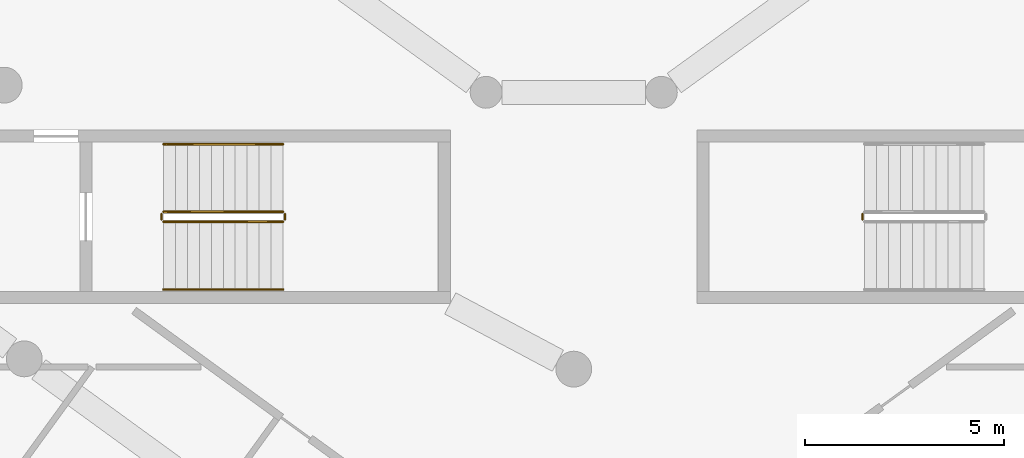
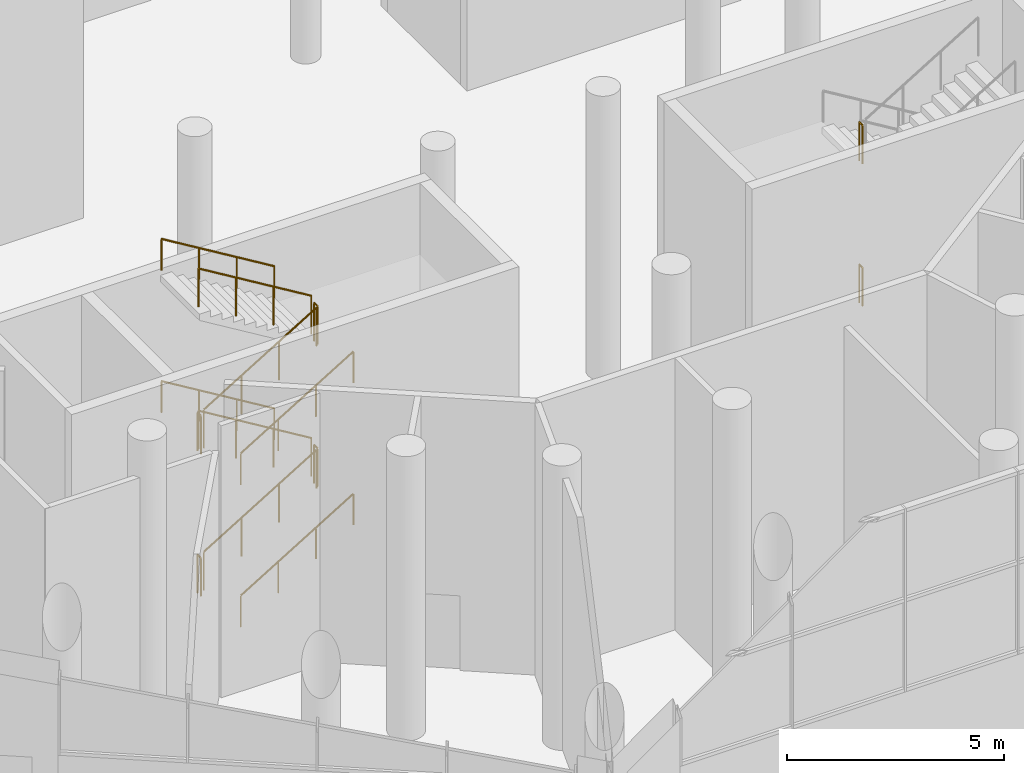
# One storey, part 18 of 23: 14 railings.
"""IFC4 building model written with IfcOpenShell, lengths in metres."""

from ifc_helpers import new_model, si_unit, direction, frame, origin, origin_2d, place, context, subcontext, project, spatial, circle, extrude, material, type_object, element, save


model = new_model("IFC4")

# Units and contexts
model_context = context("Model", 3, precision=1e-05, world=origin(), true_north=direction((0.0, 1.0)))
body_context = subcontext(model_context, "Body", "Model", "MODEL_VIEW")
ifc_project = project(units=[si_unit("LENGTHUNIT", "METRE"), si_unit("AREAUNIT", "SQUARE_METRE"), si_unit("VOLUMEUNIT", "CUBIC_METRE"), si_unit("PLANEANGLEUNIT", "RADIAN"), si_unit("MASSUNIT", "GRAM", prefix="KILO")], contexts=[model_context])

# Site, building, storey
site_placement = place(None, origin())
site = spatial("IfcSite", under=ifc_project, at=site_placement, CompositionType="ELEMENT")
building_placement = place(site_placement, origin())
building = spatial("IfcBuilding", under=site, at=building_placement, Name="White Candle Pilgrim Tower", CompositionType="ELEMENT")
storey_placement = place(building_placement, frame((0.0, 0.0, 15.0)))
storey = spatial("IfcBuildingStorey", under=building, at=storey_placement, Name="L02", CompositionType="ELEMENT", Elevation=15.0)

# Railings
ifc_material = material(Name="Stainless steel", Category="steel")
railing_type_1 = type_object("IfcRailingType", Name="Stair guard stainless steel 1100 mm", PredefinedType="GUARDRAIL", material=ifc_material)
railing_1_placement = place(storey_placement, frame((59.699951171875, 43.35009765625, 0.181884765625)))
element("IfcRailing", 1, at=railing_1_placement, inside=storey, type_object=railing_type_1, Name="L02 ST6 stair guard 1", PredefinedType="GUARDRAIL", context=body_context, shape_type="SweptSolid", body=[
    extrude(circle(Radius=0.02392578125, at=origin_2d()), frame((0.0, 0.0, 1.076171875), z_axis=(0.855206244763, 0.0, 0.518287834045), x_axis=(0.0, 1.0, 0.0)), (0.0, 0.0, 1.0), 3.5078125),
    extrude(circle(Radius=0.02099609375, at=origin_2d()), origin(), (0.0, 0.0, 1.0), 1.052001953125),
    extrude(circle(Radius=0.02099609375, at=origin_2d()), frame((1.0, 0.0, 0.60595703125)), (0.0, 0.0, 1.0), 1.052001953125),
    extrude(circle(Radius=0.02099609375, at=origin_2d()), frame((2.0, 0.0, 1.212158203125)), (0.0, 0.0, 1.0), 1.052001953125),
    extrude(circle(Radius=0.02099609375, at=origin_2d()), frame((3.0, 0.0, 1.818115234375)), (0.0, 0.0, 1.0), 1.052001953125),
])
railing_2_placement = place(storey_placement, frame((62.75, 43.39990234375, 2.0)))
element("IfcRailing", 2, at=railing_2_placement, inside=storey, type_object=railing_type_1, Name="L02 ST6 stair guard 2", PredefinedType="GUARDRAIL", context=body_context, shape_type="SweptSolid", body=[
    extrude(circle(Radius=0.02392578125, at=origin_2d()), frame((0.0, 0.0, 1.076171875), z_axis=(0.0, 1.0, 0.0), x_axis=(-1.0, 0.0, 0.0)), (0.0, 0.0, 1.0), 0.150146484375),
    extrude(circle(Radius=0.02099609375, at=origin_2d()), origin(), (0.0, 0.0, 1.0), 1.052001953125),
    extrude(circle(Radius=0.02099609375, at=origin_2d()), frame((0.0, 0.150146484375, 0.0)), (0.0, 0.0, 1.0), 1.052001953125),
])
railing_3_placement = place(storey_placement, frame((62.699951171875, 43.60009765625, 2.181884765625)))
element("IfcRailing", 3, at=railing_3_placement, inside=storey, type_object=railing_type_1, Name="L02 ST6 stair guard 3", PredefinedType="GUARDRAIL", context=body_context, shape_type="SweptSolid", body=[
    extrude(circle(Radius=0.02392578125, at=origin_2d()), frame((0.0, 0.0, 1.076171875), z_axis=(-0.855206244763, 0.0, 0.518287834045), x_axis=(0.0, -1.0, 0.0)), (0.0, 0.0, 1.0), 3.5078125),
    extrude(circle(Radius=0.02099609375, at=origin_2d()), origin(), (0.0, 0.0, 1.0), 1.052001953125),
    extrude(circle(Radius=0.02099609375, at=origin_2d()), frame((-1.0, 0.0, 0.60595703125)), (0.0, 0.0, 1.0), 1.052001953125),
    extrude(circle(Radius=0.02099609375, at=origin_2d()), frame((-2.0, 0.0, 1.212158203125)), (0.0, 0.0, 1.0), 1.052001953125),
    extrude(circle(Radius=0.02099609375, at=origin_2d()), frame((-3.0, 0.0, 1.818115234375)), (0.0, 0.0, 1.0), 1.052001953125),
])
railing_4_placement = place(storey_placement, frame((59.64990234375, 43.39990234375, 4.0)))
element("IfcRailing", 4, at=railing_4_placement, inside=storey, type_object=railing_type_1, Name="L02 ST6 stair guard 4", PredefinedType="GUARDRAIL", context=body_context, shape_type="SweptSolid", body=[
    extrude(circle(Radius=0.02392578125, at=origin_2d()), frame((0.0, 0.0, 1.076171875), z_axis=(0.0, 1.0, 0.0), x_axis=(-1.0, 0.0, 0.0)), (0.0, 0.0, 1.0), 0.150146484375),
    extrude(circle(Radius=0.02099609375, at=origin_2d()), origin(), (0.0, 0.0, 1.0), 1.052001953125),
    extrude(circle(Radius=0.02099609375, at=origin_2d()), frame((0.0, 0.150146484375, 0.0)), (0.0, 0.0, 1.0), 1.052001953125),
])
railing_5_placement = place(storey_placement, frame((59.699951171875, 43.35009765625, 4.181884765625)))
element("IfcRailing", 5, at=railing_5_placement, inside=storey, type_object=railing_type_1, Name="L02 ST6 stair guard 5", PredefinedType="GUARDRAIL", context=body_context, shape_type="SweptSolid", body=[
    extrude(circle(Radius=0.02392578125, at=origin_2d()), frame((0.0, 0.0, 1.076171875), z_axis=(0.855206244763, 0.0, 0.518287834045), x_axis=(0.0, 1.0, 0.0)), (0.0, 0.0, 1.0), 3.5078125),
    extrude(circle(Radius=0.02099609375, at=origin_2d()), origin(), (0.0, 0.0, 1.0), 1.052001953125),
    extrude(circle(Radius=0.02099609375, at=origin_2d()), frame((1.0, 0.0, 0.60595703125)), (0.0, 0.0, 1.0), 1.052001953125),
    extrude(circle(Radius=0.02099609375, at=origin_2d()), frame((2.0, 0.0, 1.212158203125)), (0.0, 0.0, 1.0), 1.052001953125),
    extrude(circle(Radius=0.02099609375, at=origin_2d()), frame((3.0, 0.0, 1.818115234375)), (0.0, 0.0, 1.0), 1.052001953125),
])
railing_6_placement = place(storey_placement, frame((62.75, 43.39990234375, 6.0)))
element("IfcRailing", 6, at=railing_6_placement, inside=storey, type_object=railing_type_1, Name="L02 ST6 stair guard 6", PredefinedType="GUARDRAIL", context=body_context, shape_type="SweptSolid", body=[
    extrude(circle(Radius=0.02392578125, at=origin_2d()), frame((0.0, 0.0, 1.076171875), z_axis=(0.0, 1.0, 0.0), x_axis=(-1.0, 0.0, 0.0)), (0.0, 0.0, 1.0), 0.150146484375),
    extrude(circle(Radius=0.02099609375, at=origin_2d()), origin(), (0.0, 0.0, 1.0), 1.052001953125),
    extrude(circle(Radius=0.02099609375, at=origin_2d()), frame((0.0, 0.150146484375, 0.0)), (0.0, 0.0, 1.0), 1.052001953125),
])
railing_7_placement = place(storey_placement, frame((62.699951171875, 43.60009765625, 6.181884765625)))
element("IfcRailing", 7, at=railing_7_placement, inside=storey, type_object=railing_type_1, Name="L02 ST6 stair guard 7", PredefinedType="GUARDRAIL", context=body_context, shape_type="SweptSolid", body=[
    extrude(circle(Radius=0.02392578125, at=origin_2d()), frame((0.0, 0.0, 1.076171875), z_axis=(-0.855206244763, 0.0, 0.518287834045), x_axis=(0.0, -1.0, 0.0)), (0.0, 0.0, 1.0), 3.5078125),
    extrude(circle(Radius=0.02099609375, at=origin_2d()), origin(), (0.0, 0.0, 1.0), 1.052001953125),
    extrude(circle(Radius=0.02099609375, at=origin_2d()), frame((-1.0, 0.0, 0.60595703125)), (0.0, 0.0, 1.0), 1.052001953125),
    extrude(circle(Radius=0.02099609375, at=origin_2d()), frame((-2.0, 0.0, 1.212158203125)), (0.0, 0.0, 1.0), 1.052001953125),
    extrude(circle(Radius=0.02099609375, at=origin_2d()), frame((-3.0, 0.0, 1.818115234375)), (0.0, 0.0, 1.0), 1.052001953125),
])
railing_8_placement = place(storey_placement, frame((59.64990234375, 43.39990234375, 0.0)))
element("IfcRailing", 8, at=railing_8_placement, inside=storey, type_object=railing_type_1, Name="L02 ST6 stair guard 8", PredefinedType="GUARDRAIL", context=body_context, shape_type="SweptSolid", body=[
    extrude(circle(Radius=0.02392578125, at=origin_2d()), frame((0.0, 0.0, 1.076171875), z_axis=(0.0, 1.0, 0.0), x_axis=(-1.0, 0.0, 0.0)), (0.0, 0.0, 1.0), 0.150146484375),
    extrude(circle(Radius=0.02099609375, at=origin_2d()), origin(), (0.0, 0.0, 1.0), 1.052001953125),
    extrude(circle(Radius=0.02099609375, at=origin_2d()), frame((0.0, 0.150146484375, 0.0)), (0.0, 0.0, 1.0), 1.052001953125),
])
for number, where, name in (
    (9, (77.25, 43.550048828125, 2.0), "L02 ST7 stair guard 2"),
    (10, (77.25, 43.550048828125, 6.0), "L02 ST7 stair guard 6"),
):
    element("IfcRailing", number, at=place(storey_placement, frame(where)), inside=storey, type_object=railing_type_1, Name=name, PredefinedType="GUARDRAIL", context=body_context, shape_type="SweptSolid", body=[
        extrude(circle(Radius=0.02392578125, at=origin_2d()), frame((0.0, 0.0, 1.076171875), z_axis=(0.0, -1.0, 0.0), x_axis=(1.0, 0.0, 0.0)), (0.0, 0.0, 1.0), 0.150146484375),
        extrude(circle(Radius=0.02099609375, at=origin_2d()), origin(), (0.0, 0.0, 1.0), 1.052001953125),
        extrude(circle(Radius=0.02099609375, at=origin_2d()), frame((0.0, -0.150146484375, 0.0)), (0.0, 0.0, 1.0), 1.052001953125),
    ])
railing_type_2 = type_object("IfcRailingType", Name="Stair handrail stainless steel", PredefinedType="HANDRAIL", material=ifc_material)
railing_9_placement = place(storey_placement, frame((59.699951171875, 41.64990234375, 0.181884765625)))
element("IfcRailing", 11, at=railing_9_placement, inside=storey, type_object=railing_type_2, Name="L02 ST6 stair handrail 1", PredefinedType="HANDRAIL", context=body_context, shape_type="SweptSolid", body=[
    extrude(circle(Radius=0.02392578125, at=origin_2d()), frame((0.0, 0.0, 0.8759765625), z_axis=(0.855206244763, 0.0, 0.518287834045), x_axis=(0.0, 1.0, 0.0)), (0.0, 0.0, 1.0), 3.5078125),
    extrude(circle(Radius=0.02099609375, at=origin_2d()), origin(), (0.0, 0.0, 1.0), 0.851806640625),
    extrude(circle(Radius=0.02099609375, at=origin_2d()), frame((1.0, 0.0, 0.60595703125)), (0.0, 0.0, 1.0), 0.851806640625),
    extrude(circle(Radius=0.02099609375, at=origin_2d()), frame((2.0, 0.0, 1.212158203125)), (0.0, 0.0, 1.0), 0.851806640625),
    extrude(circle(Radius=0.02099609375, at=origin_2d()), frame((3.0, 0.0, 1.818115234375)), (0.0, 0.0, 1.0), 0.851806640625),
])
railing_10_placement = place(storey_placement, frame((62.699951171875, 45.300048828125, 2.181884765625)))
element("IfcRailing", 12, at=railing_10_placement, inside=storey, type_object=railing_type_2, Name="L02 ST6 stair handrail 2", PredefinedType="HANDRAIL", context=body_context, shape_type="SweptSolid", body=[
    extrude(circle(Radius=0.02392578125, at=origin_2d()), frame((0.0, 0.0, 0.8759765625), z_axis=(-0.855206244763, 0.0, 0.518287834045), x_axis=(0.0, -1.0, 0.0)), (0.0, 0.0, 1.0), 3.5078125),
    extrude(circle(Radius=0.02099609375, at=origin_2d()), origin(), (0.0, 0.0, 1.0), 0.851806640625),
    extrude(circle(Radius=0.02099609375, at=origin_2d()), frame((-1.0, 0.0, 0.60595703125)), (0.0, 0.0, 1.0), 0.851806640625),
    extrude(circle(Radius=0.02099609375, at=origin_2d()), frame((-2.0, 0.0, 1.212158203125)), (0.0, 0.0, 1.0), 0.851806640625),
    extrude(circle(Radius=0.02099609375, at=origin_2d()), frame((-3.0, 0.0, 1.818115234375)), (0.0, 0.0, 1.0), 0.851806640625),
])
railing_11_placement = place(storey_placement, frame((59.699951171875, 41.64990234375, 4.181884765625)))
element("IfcRailing", 13, at=railing_11_placement, inside=storey, type_object=railing_type_2, Name="L02 ST6 stair handrail 3", PredefinedType="HANDRAIL", context=body_context, shape_type="SweptSolid", body=[
    extrude(circle(Radius=0.02392578125, at=origin_2d()), frame((0.0, 0.0, 0.8759765625), z_axis=(0.855206244763, 0.0, 0.518287834045), x_axis=(0.0, 1.0, 0.0)), (0.0, 0.0, 1.0), 3.5078125),
    extrude(circle(Radius=0.02099609375, at=origin_2d()), origin(), (0.0, 0.0, 1.0), 0.851806640625),
    extrude(circle(Radius=0.02099609375, at=origin_2d()), frame((1.0, 0.0, 0.60595703125)), (0.0, 0.0, 1.0), 0.851806640625),
    extrude(circle(Radius=0.02099609375, at=origin_2d()), frame((2.0, 0.0, 1.212158203125)), (0.0, 0.0, 1.0), 0.851806640625),
    extrude(circle(Radius=0.02099609375, at=origin_2d()), frame((3.0, 0.0, 1.818115234375)), (0.0, 0.0, 1.0), 0.851806640625),
])
railing_12_placement = place(storey_placement, frame((62.699951171875, 45.300048828125, 6.181884765625)))
element("IfcRailing", 14, at=railing_12_placement, inside=storey, type_object=railing_type_2, Name="L02 ST6 stair handrail 4", PredefinedType="HANDRAIL", context=body_context, shape_type="SweptSolid", body=[
    extrude(circle(Radius=0.02392578125, at=origin_2d()), frame((0.0, 0.0, 0.8759765625), z_axis=(-0.855206244763, 0.0, 0.518287834045), x_axis=(0.0, -1.0, 0.0)), (0.0, 0.0, 1.0), 3.5078125),
    extrude(circle(Radius=0.02099609375, at=origin_2d()), origin(), (0.0, 0.0, 1.0), 0.851806640625),
    extrude(circle(Radius=0.02099609375, at=origin_2d()), frame((-1.0, 0.0, 0.60595703125)), (0.0, 0.0, 1.0), 0.851806640625),
    extrude(circle(Radius=0.02099609375, at=origin_2d()), frame((-2.0, 0.0, 1.212158203125)), (0.0, 0.0, 1.0), 0.851806640625),
    extrude(circle(Radius=0.02099609375, at=origin_2d()), frame((-3.0, 0.0, 1.818115234375)), (0.0, 0.0, 1.0), 0.851806640625),
])

save(model, "model.ifc")
